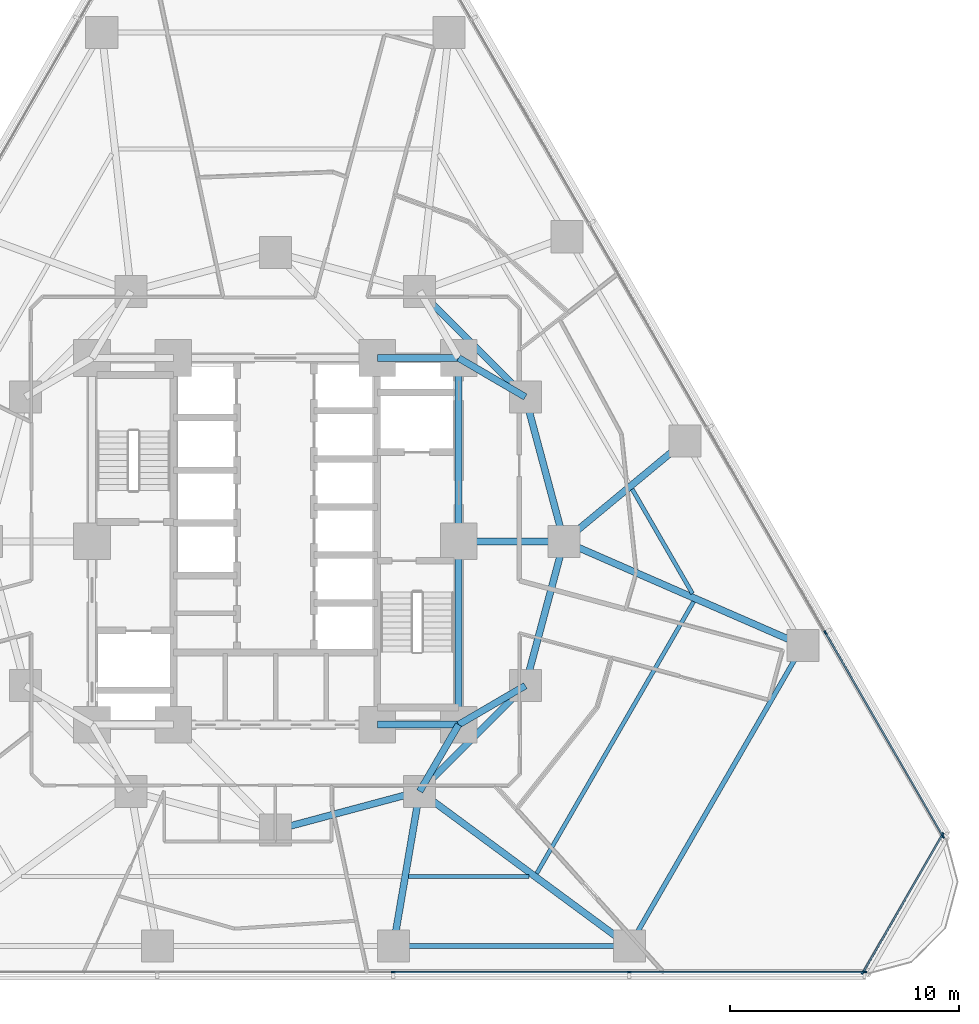
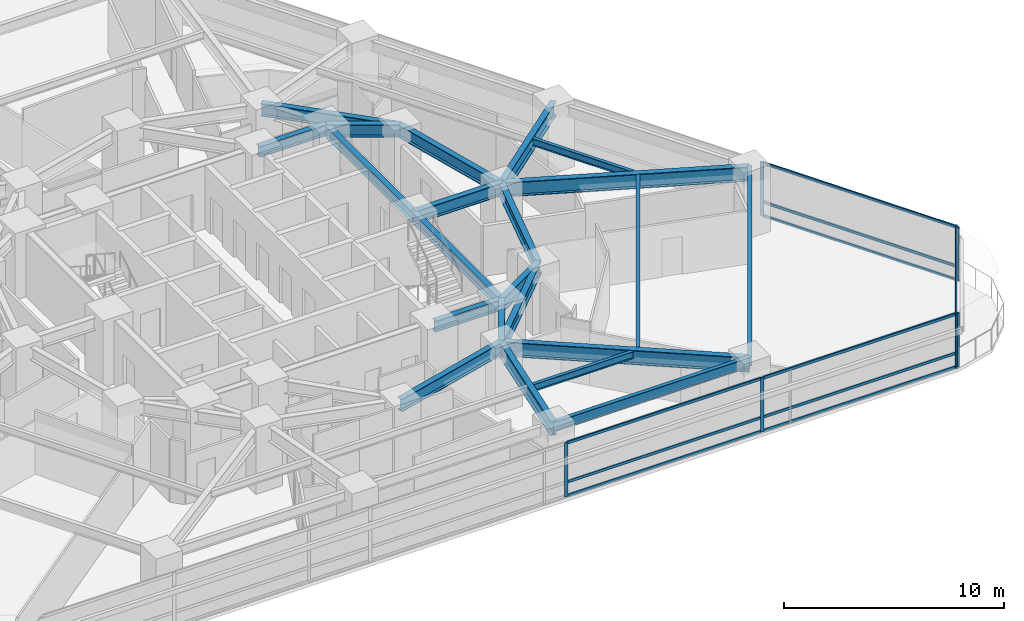
# One storey, part 4 of 15: 22 beams, 19 members, 3 elements without a shape of their own.
"""IFC4 building model written with IfcOpenShell, lengths in metres."""

from ifc_helpers import new_model, si_unit, direction, frame, origin, origin_2d, place, context, subcontext, project, spatial, rectangle, i_section, extrude, material, layer, layer_set, material_profile, profile_set, type_object, element, aggregate, save


model = new_model("IFC4")

# Units and contexts
model_context = context("Model", 3, precision=1e-05, world=origin(), true_north=direction((0.0, 1.0)))
body_context = subcontext(model_context, "Body", "Model", "MODEL_VIEW")
ifc_project = project(units=[si_unit("LENGTHUNIT", "METRE"), si_unit("AREAUNIT", "SQUARE_METRE"), si_unit("VOLUMEUNIT", "CUBIC_METRE"), si_unit("PLANEANGLEUNIT", "RADIAN"), si_unit("MASSUNIT", "GRAM", prefix="KILO")], contexts=[model_context])

# Site, building, storey
site_placement = place(None, origin())
site = spatial("IfcSite", under=ifc_project, at=site_placement, CompositionType="ELEMENT")
building_placement = place(site_placement, origin())
building = spatial("IfcBuilding", under=site, at=building_placement, Name="Terralouvre Media Tower", CompositionType="ELEMENT")
storey_placement = place(building_placement, frame((0.0, 0.0, 48.199951171875)))
storey = spatial("IfcBuildingStorey", under=building, at=storey_placement, Name="L11", CompositionType="ELEMENT", Elevation=48.199951171875)

# Beams
ifc_material_1 = material(Name="Structural steel S355J2", Category="steel")
ifc_material_profile_1 = material_profile(ifc_material_1, i_section(OverallWidth=0.179931640625, OverallDepth=0.39990234375, WebThickness=0.008544921875, FlangeThickness=0.013427734375, at=origin_2d()), Name="IPE 400")
ifc_profile_set_1 = profile_set([ifc_material_profile_1], Name="Structural steel S355J2")
beam_type_1 = type_object("IfcBeamType", Name="Composite Floor Joist J-IPE400 (IPE 400)", PredefinedType="JOIST", material=ifc_profile_set_1)
beam_1_placement = place(storey_placement, frame((5.817626953125, -14.627197265625, 3.300048828125), z_axis=(1.0, 0.0, 0.0), x_axis=(0.0, 1.0, 0.0)))
element("IfcBeam", 1, at=beam_1_placement, inside=storey, type_object=beam_type_1, Name="L11 Framing Beam JT-L11-04", PredefinedType="JOIST", context=body_context, shape_type="SweptSolid", body=[
    extrude(i_section(OverallWidth=0.179931640625, OverallDepth=0.39990234375, WebThickness=0.008544921875, FlangeThickness=0.013427734375, at=origin_2d()), origin(), (0.0, 0.0, 1.0), 5.264404296875),
])
beam_2_placement = place(storey_placement, frame((11.407470703125, -14.4970703125, 3.300048828125), z_axis=(0.500011895338, 0.866018535899, 0.0), x_axis=(-0.866018535899, 0.500011895338, 0.0)))
element("IfcBeam", 2, at=beam_2_placement, inside=storey, type_object=beam_type_1, Name="L11 Framing Beam JT-L11-05", PredefinedType="JOIST", context=body_context, shape_type="SweptSolid", body=[
    extrude(i_section(OverallWidth=0.179931640625, OverallDepth=0.39990234375, WebThickness=0.008544921875, FlangeThickness=0.013427734375, at=origin_2d()), origin(), (0.0, 0.0, 1.0), 13.702392578125),
])
beam_3_placement = place(storey_placement, frame((18.20849609375, -2.28369140625, 3.300048828125), z_axis=(-0.500019514865, 0.866014136579, 0.0), x_axis=(-0.866014136579, -0.500019514865, 0.0)))
element("IfcBeam", 3, at=beam_3_placement, inside=storey, type_object=beam_type_1, Name="L11 Framing Beam JT-L11-06", PredefinedType="JOIST", context=body_context, shape_type="SweptSolid", body=[
    extrude(i_section(OverallWidth=0.179931640625, OverallDepth=0.39990234375, WebThickness=0.008544921875, FlangeThickness=0.013427734375, at=origin_2d()), origin(), (0.0, 0.0, 1.0), 5.264404296875),
])

# Curtain wall, members
ifc_material_2 = material(Name="Low-iron laminated double glazing with solar-control coating", Category="glass")
ifc_layer_1 = layer(ifc_material_2, 0.1650390625, Name="Lower Media Tower Unitised Curtain Wall CW-02")
ifc_layer_set_1 = layer_set([ifc_layer_1], Name="Low-iron laminated double glazing with solar-control coating")
curtain_wall_type_1 = type_object("IfcCurtainWallType", Name="Lower Media Tower Unitised Curtain Wall CW-02", PredefinedType="NOTDEFINED", material=ifc_layer_set_1)
curtain_wall_1_placement = place(storey_placement, origin())
curtain_wall_1 = element("IfcCurtainWall", 4, at=curtain_wall_1_placement, inside=storey, type_object=curtain_wall_type_1, Name="L11 Facade Curtain Wall F0", PredefinedType="NOTDEFINED")
ifc_material_3 = material(Name="Anodised extruded aluminium 6063-T6", Category="aluminium")
ifc_material_profile_2 = material_profile(ifc_material_3, rectangle(XDim=0.074951171875, YDim=0.14990234375, at=origin_2d()), Name="ALU 75x150")
ifc_profile_set_2 = profile_set([ifc_material_profile_2], Name="Anodised extruded aluminium 6063-T6")
member_type_1 = type_object("IfcMemberType", Name="Curtain-Wall Horizontal Transom TR-150", PredefinedType="USERDEFINED", material=ifc_profile_set_2)
member_1_placement = place(storey_placement, frame((5.1875, -18.796875, 0.03759765625), z_axis=(1.0, 0.0, 0.0), x_axis=(0.0, 1.0, 0.0)))
member_1 = element("IfcMember", 5, at=member_1_placement, type_object=member_type_1, Name="CW-02 transom 4.1", ObjectType="TRANSOM", PredefinedType="USERDEFINED", context=body_context, shape_type="SweptSolid", body=[
    extrude(rectangle(XDim=0.074951171875, YDim=0.14990234375, at=origin_2d()), origin(), (0.0, 0.0, 1.0), 10.22509765625),
])
member_2_placement = place(storey_placement, frame((5.1875, -18.796875, 0.800048828125), z_axis=(1.0, 0.0, 0.0), x_axis=(0.0, 1.0, 0.0)))
member_2 = element("IfcMember", 6, at=member_2_placement, type_object=member_type_1, Name="CW-02 transom 4.2", ObjectType="TRANSOM", PredefinedType="USERDEFINED", context=body_context, shape_type="SweptSolid", body=[
    extrude(rectangle(XDim=0.074951171875, YDim=0.14990234375, at=origin_2d()), origin(), (0.0, 0.0, 1.0), 10.22509765625),
])
member_3_placement = place(storey_placement, frame((5.1875, -18.796875, 2.962646484375), z_axis=(1.0, 0.0, 0.0), x_axis=(0.0, 1.0, 0.0)))
member_3 = element("IfcMember", 7, at=member_3_placement, type_object=member_type_1, Name="CW-02 transom 4.3", ObjectType="TRANSOM", PredefinedType="USERDEFINED", context=body_context, shape_type="SweptSolid", body=[
    extrude(rectangle(XDim=0.074951171875, YDim=0.14990234375, at=origin_2d()), origin(), (0.0, 0.0, 1.0), 10.22509765625),
])
member_4_placement = place(storey_placement, frame((15.487548828125, -18.796875, 0.03759765625), z_axis=(1.0, 0.0, 0.0), x_axis=(0.0, 1.0, 0.0)))
member_4 = element("IfcMember", 8, at=member_4_placement, type_object=member_type_1, Name="CW-02 transom 5.1", ObjectType="TRANSOM", PredefinedType="USERDEFINED", context=body_context, shape_type="SweptSolid", body=[
    extrude(rectangle(XDim=0.074951171875, YDim=0.14990234375, at=origin_2d()), origin(), (0.0, 0.0, 1.0), 10.1875),
])
member_5_placement = place(storey_placement, frame((15.487548828125, -18.796875, 0.800048828125), z_axis=(1.0, 0.0, 0.0), x_axis=(0.0, 1.0, 0.0)))
member_5 = element("IfcMember", 9, at=member_5_placement, type_object=member_type_1, Name="CW-02 transom 5.2", ObjectType="TRANSOM", PredefinedType="USERDEFINED", context=body_context, shape_type="SweptSolid", body=[
    extrude(rectangle(XDim=0.074951171875, YDim=0.14990234375, at=origin_2d()), origin(), (0.0, 0.0, 1.0), 10.1875),
])
member_6_placement = place(storey_placement, frame((15.487548828125, -18.796875, 2.962646484375), z_axis=(1.0, 0.0, 0.0), x_axis=(0.0, 1.0, 0.0)))
member_6 = element("IfcMember", 10, at=member_6_placement, type_object=member_type_1, Name="CW-02 transom 5.3", ObjectType="TRANSOM", PredefinedType="USERDEFINED", context=body_context, shape_type="SweptSolid", body=[
    extrude(rectangle(XDim=0.074951171875, YDim=0.14990234375, at=origin_2d()), origin(), (0.0, 0.0, 1.0), 10.1875),
])

curtain_wall_2_placement = place(storey_placement, origin())
curtain_wall_2 = element("IfcCurtainWall", 11, at=curtain_wall_2_placement, inside=storey, type_object=curtain_wall_type_1, Name="L11 Facade Curtain Wall F1", PredefinedType="NOTDEFINED")
member_7_placement = place(storey_placement, frame((29.115966796875, -12.8369140625, 0.03759765625), z_axis=(-0.499994895054, 0.866028351106, 0.0), x_axis=(-0.866028351106, -0.499994895054, 0.0)))
member_7 = element("IfcMember", 12, at=member_7_placement, type_object=member_type_1, Name="CW-02 transom 1.1", ObjectType="TRANSOM", PredefinedType="USERDEFINED", context=body_context, shape_type="SweptSolid", body=[
    extrude(rectangle(XDim=0.074951171875, YDim=0.14990234375, at=origin_2d()), origin(), (0.0, 0.0, 1.0), 10.1875),
])
member_8_placement = place(storey_placement, frame((29.115966796875, -12.8369140625, 0.800048828125), z_axis=(-0.499994895054, 0.866028351106, 0.0), x_axis=(-0.866028351106, -0.499994895054, 0.0)))
member_8 = element("IfcMember", 13, at=member_8_placement, type_object=member_type_1, Name="CW-02 transom 1.2", ObjectType="TRANSOM", PredefinedType="USERDEFINED", context=body_context, shape_type="SweptSolid", body=[
    extrude(rectangle(XDim=0.074951171875, YDim=0.14990234375, at=origin_2d()), origin(), (0.0, 0.0, 1.0), 10.1875),
])
member_9_placement = place(storey_placement, frame((29.115966796875, -12.8369140625, 2.962646484375), z_axis=(-0.499994895054, 0.866028351106, 0.0), x_axis=(-0.866028351106, -0.499994895054, 0.0)))
member_9 = element("IfcMember", 14, at=member_9_placement, type_object=member_type_1, Name="CW-02 transom 1.3", ObjectType="TRANSOM", PredefinedType="USERDEFINED", context=body_context, shape_type="SweptSolid", body=[
    extrude(rectangle(XDim=0.074951171875, YDim=0.14990234375, at=origin_2d()), origin(), (0.0, 0.0, 1.0), 10.1875),
])

ifc_material_4 = material(Name="Low-iron laminated double glazing with solar-control coating", Category="glass")
ifc_layer_2 = layer(ifc_material_4, 0.1650390625, Name="Rounded Wind-Corner Curved Glazing CW-04")
ifc_layer_set_2 = layer_set([ifc_layer_2], Name="Low-iron laminated double glazing with solar-control coating")
curtain_wall_type_2 = type_object("IfcCurtainWallType", Name="Rounded Wind-Corner Curved Glazing CW-04", PredefinedType="NOTDEFINED", material=ifc_layer_set_2)
curtain_wall_3_placement = place(storey_placement, origin())
curtain_wall_3 = element("IfcCurtainWall", 15, at=curtain_wall_3_placement, inside=storey, type_object=curtain_wall_type_2, Name="L11 Rounded Wind-Corner Curtain Wall C1", PredefinedType="NOTDEFINED")
member_10_placement = place(storey_placement, frame((25.666259765625, -18.78173828125, 0.03759765625), z_axis=(0.499998495495, 0.866026272409, 0.0), x_axis=(-0.866026272409, 0.499998495495, 0.0)))
member_10 = element("IfcMember", 16, at=member_10_placement, type_object=member_type_1, Name="CW-04 transom 1.1", ObjectType="TRANSOM", PredefinedType="USERDEFINED", context=body_context, shape_type="SweptSolid", body=[
    extrude(rectangle(XDim=0.074951171875, YDim=0.14990234375, at=origin_2d()), origin(), (0.0, 0.0, 1.0), 6.86474609375),
])
member_11_placement = place(storey_placement, frame((25.666259765625, -18.78173828125, 0.800048828125), z_axis=(0.499998495495, 0.866026272409, 0.0), x_axis=(-0.866026272409, 0.499998495495, 0.0)))
member_11 = element("IfcMember", 17, at=member_11_placement, type_object=member_type_1, Name="CW-04 transom 1.2", ObjectType="TRANSOM", PredefinedType="USERDEFINED", context=body_context, shape_type="SweptSolid", body=[
    extrude(rectangle(XDim=0.074951171875, YDim=0.14990234375, at=origin_2d()), origin(), (0.0, 0.0, 1.0), 6.86474609375),
])
member_12_placement = place(storey_placement, frame((25.666259765625, -18.78173828125, 2.962646484375), z_axis=(0.499998495495, 0.866026272409, 0.0), x_axis=(-0.866026272409, 0.499998495495, 0.0)))
member_12 = element("IfcMember", 18, at=member_12_placement, type_object=member_type_1, Name="CW-04 transom 1.3", ObjectType="TRANSOM", PredefinedType="USERDEFINED", context=body_context, shape_type="SweptSolid", body=[
    extrude(rectangle(XDim=0.074951171875, YDim=0.14990234375, at=origin_2d()), origin(), (0.0, 0.0, 1.0), 6.86474609375),
])

# Member
ifc_material_5 = material(Name="Anodised extruded aluminium 6063-T6", Category="aluminium")
ifc_material_profile_3 = material_profile(ifc_material_5, rectangle(XDim=0.074951171875, YDim=0.179931640625, at=origin_2d()), Name="ALU 75x180")
ifc_profile_set_3 = profile_set([ifc_material_profile_3], Name="Anodised extruded aluminium 6063-T6")
member_type_2 = type_object("IfcMemberType", Name="Curtain-Wall Vertical Mullion ML-180", PredefinedType="MULLION", material=ifc_profile_set_3)
member_13_placement = place(storey_placement, frame((5.14990234375, -18.796875, 0.0), z_axis=(0.0, 0.0, 1.0), x_axis=(0.0, 1.0, 0.0)))
member_13 = element("IfcMember", 19, at=member_13_placement, type_object=member_type_2, Name="CW-02 mullion 4", PredefinedType="MULLION", context=body_context, shape_type="SweptSolid", body=[
    extrude(rectangle(XDim=0.074951171875, YDim=0.179931640625, at=origin_2d()), origin(), (0.0, 0.0, 1.0), 3.0),
])

member_14_placement = place(storey_placement, frame((15.449951171875, -18.796875, 0.0), z_axis=(0.0, 0.0, 1.0), x_axis=(0.0, 1.0, 0.0)))
member_14 = element("IfcMember", 20, at=member_14_placement, type_object=member_type_2, Name="CW-02 mullion 5", PredefinedType="MULLION", context=body_context, shape_type="SweptSolid", body=[
    extrude(rectangle(XDim=0.074951171875, YDim=0.179931640625, at=origin_2d()), origin(), (0.0, 0.0, 1.0), 3.0),
])

member_15_placement = place(storey_placement, frame((25.71240234375, -18.796875, 0.0), z_axis=(0.0, 0.0, 1.0), x_axis=(0.0, 1.0, 0.0)))
member_15 = element("IfcMember", 21, at=member_15_placement, type_object=member_type_2, Name="CW-02 mullion 6", PredefinedType="MULLION", context=body_context, shape_type="SweptSolid", body=[
    extrude(rectangle(XDim=0.074951171875, YDim=0.179931640625, at=origin_2d()), origin(), (0.0, 0.0, 1.0), 3.0),
])

aggregate(curtain_wall_1, [member_13, member_14, member_15, member_1, member_2, member_3, member_4, member_5, member_6])

member_16_placement = place(storey_placement, frame((29.134765625, -12.869384765625, 0.0), z_axis=(0.0, 0.0, 1.0), x_axis=(-0.866025412057, -0.499999985671, 0.0)))
member_16 = element("IfcMember", 22, at=member_16_placement, type_object=member_type_2, Name="CW-02 mullion 1", PredefinedType="MULLION", context=body_context, shape_type="SweptSolid", body=[
    extrude(rectangle(XDim=0.074951171875, YDim=0.179931640625, at=origin_2d()), origin(), (0.0, 0.0, 1.0), 3.0),
])

member_17_placement = place(storey_placement, frame((24.00341796875, -3.981689453125, 0.0), z_axis=(0.0, 0.0, 1.0), x_axis=(-0.866025412057, -0.499999985671, 0.0)))
member_17 = element("IfcMember", 23, at=member_17_placement, type_object=member_type_2, Name="CW-02 mullion 2", PredefinedType="MULLION", context=body_context, shape_type="SweptSolid", body=[
    extrude(rectangle(XDim=0.074951171875, YDim=0.179931640625, at=origin_2d()), origin(), (0.0, 0.0, 1.0), 3.0),
])

aggregate(curtain_wall_2, [member_16, member_17, member_7, member_8, member_9])

member_18_placement = place(storey_placement, frame((25.6474609375, -18.814208984375, 0.0), z_axis=(0.0, 0.0, 1.0), x_axis=(-0.866025581895, 0.499999691503, 0.0)))
member_18 = element("IfcMember", 24, at=member_18_placement, type_object=member_type_2, Name="CW-04 mullion 1", PredefinedType="MULLION", context=body_context, shape_type="SweptSolid", body=[
    extrude(rectangle(XDim=0.074951171875, YDim=0.179931640625, at=origin_2d()), origin(), (0.0, 0.0, 1.0), 3.0),
])

member_19_placement = place(storey_placement, frame((29.117431640625, -12.80419921875, 0.0), z_axis=(0.0, 0.0, 1.0), x_axis=(-0.866025581895, 0.499999691503, 0.0)))
member_19 = element("IfcMember", 25, at=member_19_placement, type_object=member_type_2, Name="CW-04 mullion 2", PredefinedType="MULLION", context=body_context, shape_type="SweptSolid", body=[
    extrude(rectangle(XDim=0.074951171875, YDim=0.179931640625, at=origin_2d()), origin(), (0.0, 0.0, 1.0), 3.0),
])

aggregate(curtain_wall_3, [member_18, member_19, member_10, member_11, member_12])

# Beams
ifc_material_6 = material(Name="Structural steel S355J2", Category="steel")
ifc_material_profile_4 = material_profile(ifc_material_6, i_section(OverallWidth=0.2099609375, OverallDepth=0.550048828125, WebThickness=0.010986328125, FlangeThickness=0.01708984375, at=origin_2d()), Name="IPE 550")
ifc_profile_set_4 = profile_set([ifc_material_profile_4], Name="Structural steel S355J2")
beam_type_2 = type_object("IfcBeamType", Name="Perimeter Spandrel Beam SPB-550 (IPE 550)", PredefinedType="SPANDREL", material=ifc_profile_set_4)
beam_4_placement = place(storey_placement, frame((5.14990234375, -17.666748046875, 3.22509765625), z_axis=(1.0, 0.0, 0.0), x_axis=(0.0, 1.0, 0.0)))
element("IfcBeam", 26, at=beam_4_placement, inside=storey, type_object=beam_type_2, Name="L11 Framing Beam BM-L11-PR04", PredefinedType="SPANDREL", context=body_context, shape_type="SweptSolid", body=[
    extrude(i_section(OverallWidth=0.2099609375, OverallDepth=0.550048828125, WebThickness=0.010986328125, FlangeThickness=0.01708984375, at=origin_2d()), origin(), (0.0, 0.0, 1.0), 10.300048828125),
])
beam_5_placement = place(storey_placement, frame((15.449951171875, -17.666748046875, 3.22509765625), z_axis=(0.500002375365, 0.866024032363, 0.0), x_axis=(-0.866024032363, 0.500002375365, 0.0)))
element("IfcBeam", 27, at=beam_5_placement, inside=storey, type_object=beam_type_2, Name="L11 Framing Beam BM-L11-PR05", PredefinedType="SPANDREL", context=body_context, shape_type="SweptSolid", body=[
    extrude(i_section(OverallWidth=0.2099609375, OverallDepth=0.550048828125, WebThickness=0.010986328125, FlangeThickness=0.01708984375, at=origin_2d()), origin(), (0.0, 0.0, 1.0), 15.14990234375),
])
ifc_material_7 = material(Name="Structural steel S460M", Category="steel")
ifc_material_profile_5 = material_profile(ifc_material_7, i_section(OverallWidth=0.300048828125, OverallDepth=0.60009765625, WebThickness=0.015380859375, FlangeThickness=0.030029296875, at=origin_2d()), Name="HEB 600")
ifc_profile_set_5 = profile_set([ifc_material_profile_5], Name="Structural steel S460M")
beam_type_3 = type_object("IfcBeamType", Name="Primary Floor Girder B-HEB600 (HEB 600)", PredefinedType="BEAM", material=ifc_profile_set_5)
beam_6_placement = place(storey_placement, frame((4.449951171875, -8.0, 3.199951171875), z_axis=(1.0, 0.0, 0.0), x_axis=(0.0, 1.0, 0.0)))
element("IfcBeam", 28, at=beam_6_placement, inside=storey, type_object=beam_type_3, Name="L11 Framing Beam BM-L11-CPR03", PredefinedType="BEAM", context=body_context, shape_type="SweptSolid", body=[
    extrude(i_section(OverallWidth=0.300048828125, OverallDepth=0.60009765625, WebThickness=0.015380859375, FlangeThickness=0.030029296875, at=origin_2d()), origin(), (0.0, 0.0, 1.0), 3.550048828125),
])
for number, where, z_axis, x_axis, name in (
    (29, (8.0, -8.0, 3.199951171875), (0.0, 1.0, 0.0), (-1.0, 0.0, 0.0), "L11 Framing Beam BM-L11-CPR04"),
    (30, (8.0, 0.0, 3.199951171875), (0.0, 1.0, 0.0), (-1.0, 0.0, 0.0), "L11 Framing Beam BM-L11-CPR05"),
):
    element("IfcBeam", number, at=place(storey_placement, frame(where, z_axis=z_axis, x_axis=x_axis)), inside=storey, type_object=beam_type_3, Name=name, PredefinedType="BEAM", context=body_context, shape_type="SweptSolid", body=[
        extrude(i_section(OverallWidth=0.300048828125, OverallDepth=0.60009765625, WebThickness=0.015380859375, FlangeThickness=0.030029296875, at=origin_2d()), origin(), (0.0, 0.0, 1.0), 8.0),
    ])
beam_7_placement = place(storey_placement, frame((8.0, 8.0, 3.199951171875), z_axis=(-1.0, 0.0, 0.0), x_axis=(0.0, -1.0, 0.0)))
element("IfcBeam", 31, at=beam_7_placement, inside=storey, type_object=beam_type_3, Name="L11 Framing Beam BM-L11-CPR06", PredefinedType="BEAM", context=body_context, shape_type="SweptSolid", body=[
    extrude(i_section(OverallWidth=0.300048828125, OverallDepth=0.60009765625, WebThickness=0.015380859375, FlangeThickness=0.030029296875, at=origin_2d()), origin(), (0.0, 0.0, 1.0), 3.550048828125),
])
ifc_material_8 = material(Name="Structural steel S460M", Category="steel")
ifc_material_profile_6 = material_profile(ifc_material_8, i_section(OverallWidth=0.300048828125, OverallDepth=0.699951171875, WebThickness=0.01708984375, FlangeThickness=0.031982421875, at=origin_2d()), Name="HEB 700")
ifc_profile_set_6 = profile_set([ifc_material_profile_6], Name="Structural steel S460M")
beam_type_4 = type_object("IfcBeamType", Name="Primary Floor Girder B-HEB700 (HEB 700)", PredefinedType="BEAM", material=ifc_profile_set_6)
beam_8_placement = place(storey_placement, frame((0.0, -12.60009765625, 3.150146484375), z_axis=(0.965920481897, 0.258838989821, 0.0), x_axis=(-0.258838989821, 0.965920481897, 0.0)))
element("IfcBeam", 32, at=beam_8_placement, inside=storey, type_object=beam_type_4, Name="L11 Framing Beam BM-L11-MR03", PredefinedType="BEAM", context=body_context, shape_type="SweptSolid", body=[
    extrude(i_section(OverallWidth=0.300048828125, OverallDepth=0.699951171875, WebThickness=0.01708984375, FlangeThickness=0.031982421875, at=origin_2d()), origin(), (0.0, 0.0, 1.0), 6.522216796875),
])
beam_9_placement = place(storey_placement, frame((6.300048828125, -10.911865234375, 3.150146484375), z_axis=(0.707106781187, 0.707106781187, 0.0), x_axis=(-0.707106781187, 0.707106781187, 0.0)))
element("IfcBeam", 33, at=beam_9_placement, inside=storey, type_object=beam_type_4, Name="L11 Framing Beam BM-L11-MR04", PredefinedType="BEAM", context=body_context, shape_type="SweptSolid", body=[
    extrude(i_section(OverallWidth=0.300048828125, OverallDepth=0.699951171875, WebThickness=0.01708984375, FlangeThickness=0.031982421875, at=origin_2d()), origin(), (0.0, 0.0, 1.0), 6.52197265625),
])
for number, where, z_axis, x_axis, name in (
    (34, (10.911865234375, -6.300048828125, 3.150146484375), (0.258838989821, 0.965920481897, 0.0), (-0.965920481897, 0.258838989821, 0.0), "L11 Framing Beam BM-L11-MR05"),
    (35, (12.60009765625, 0.0, 3.150146484375), (-0.258838989821, 0.965920481897, 0.0), (-0.965920481897, -0.258838989821, 0.0), "L11 Framing Beam BM-L11-MR06"),
):
    element("IfcBeam", number, at=place(storey_placement, frame(where, z_axis=z_axis, x_axis=x_axis)), inside=storey, type_object=beam_type_4, Name=name, PredefinedType="BEAM", context=body_context, shape_type="SweptSolid", body=[
        extrude(i_section(OverallWidth=0.300048828125, OverallDepth=0.699951171875, WebThickness=0.01708984375, FlangeThickness=0.031982421875, at=origin_2d()), origin(), (0.0, 0.0, 1.0), 6.522216796875),
    ])
beam_10_placement = place(storey_placement, frame((10.911865234375, 6.300048828125, 3.150146484375), z_axis=(-0.707106781187, 0.707106781187, 0.0), x_axis=(-0.707106781187, -0.707106781187, 0.0)))
element("IfcBeam", 36, at=beam_10_placement, inside=storey, type_object=beam_type_4, Name="L11 Framing Beam BM-L11-MR07", PredefinedType="BEAM", context=body_context, shape_type="SweptSolid", body=[
    extrude(i_section(OverallWidth=0.300048828125, OverallDepth=0.699951171875, WebThickness=0.01708984375, FlangeThickness=0.031982421875, at=origin_2d()), origin(), (0.0, 0.0, 1.0), 6.52197265625),
])
for number, where, z_axis, x_axis, name in (
    (37, (8.0, -8.0, 3.150146484375), (-0.504172629717, -0.863602894532, 0.0), (0.863602894532, -0.504172629717, 0.0), "L11 Framing Beam BM-L11-CM04"),
    (38, (8.0, -8.0, 3.150146484375), (0.863602894532, 0.504172629717, 0.0), (-0.504172629717, 0.863602894532, 0.0), "L11 Framing Beam BM-L11-CM05"),
):
    element("IfcBeam", number, at=place(storey_placement, frame(where, z_axis=z_axis, x_axis=x_axis)), inside=storey, type_object=beam_type_4, Name=name, PredefinedType="BEAM", context=body_context, shape_type="SweptSolid", body=[
        extrude(i_section(OverallWidth=0.300048828125, OverallDepth=0.699951171875, WebThickness=0.01708984375, FlangeThickness=0.031982421875, at=origin_2d()), origin(), (0.0, 0.0, 1.0), 3.371826171875),
    ])
beam_11_placement = place(storey_placement, frame((8.0, 0.0, 3.150146484375), z_axis=(1.0, 0.0, 0.0), x_axis=(0.0, 1.0, 0.0)))
element("IfcBeam", 39, at=beam_11_placement, inside=storey, type_object=beam_type_4, Name="L11 Framing Beam BM-L11-CM06", PredefinedType="BEAM", context=body_context, shape_type="SweptSolid", body=[
    extrude(i_section(OverallWidth=0.300048828125, OverallDepth=0.699951171875, WebThickness=0.01708984375, FlangeThickness=0.031982421875, at=origin_2d()), origin(), (0.0, 0.0, 1.0), 4.60009765625),
])
beam_12_placement = place(storey_placement, frame((8.0, 8.0, 3.150146484375), z_axis=(0.863602894532, -0.504172629717, 0.0), x_axis=(0.504172629717, 0.863602894532, 0.0)))
element("IfcBeam", 40, at=beam_12_placement, inside=storey, type_object=beam_type_4, Name="L11 Framing Beam BM-L11-CM07", PredefinedType="BEAM", context=body_context, shape_type="SweptSolid", body=[
    extrude(i_section(OverallWidth=0.300048828125, OverallDepth=0.699951171875, WebThickness=0.01708984375, FlangeThickness=0.031982421875, at=origin_2d()), origin(), (0.0, 0.0, 1.0), 3.371826171875),
])
ifc_material_9 = material(Name="Structural steel S460M", Category="steel")
ifc_material_profile_7 = material_profile(ifc_material_9, i_section(OverallWidth=0.300048828125, OverallDepth=0.800048828125, WebThickness=0.017578125, FlangeThickness=0.032958984375, at=origin_2d()), Name="HEB 800")
ifc_profile_set_7 = profile_set([ifc_material_profile_7], Name="Structural steel S460M")
beam_type_5 = type_object("IfcBeamType", Name="Primary Floor Girder B-HEB800 (HEB 800)", PredefinedType="BEAM", material=ifc_profile_set_7)
beam_13_placement = place(storey_placement, frame((6.300048828125, -10.911865234375, 3.10009765625), z_axis=(-0.167853129882, -0.98581201392, 0.0), x_axis=(0.98581201392, -0.167853129882, 0.0)))
element("IfcBeam", 41, at=beam_13_placement, inside=storey, type_object=beam_type_5, Name="L11 Framing Beam BM-L11-RD04", PredefinedType="BEAM", context=body_context, shape_type="SweptSolid", body=[
    extrude(i_section(OverallWidth=0.300048828125, OverallDepth=0.800048828125, WebThickness=0.017578125, FlangeThickness=0.032958984375, at=origin_2d()), origin(), (0.0, 0.0, 1.0), 6.85205078125),
])
beam_14_placement = place(storey_placement, frame((6.300048828125, -10.911865234375, 3.10009765625), z_axis=(0.804515955091, -0.593931038088, 0.0), x_axis=(0.593931038088, 0.804515955091, 0.0)))
element("IfcBeam", 42, at=beam_14_placement, inside=storey, type_object=beam_type_5, Name="L11 Framing Beam BM-L11-RD05", PredefinedType="BEAM", context=body_context, shape_type="SweptSolid", body=[
    extrude(i_section(OverallWidth=0.300048828125, OverallDepth=0.800048828125, WebThickness=0.017578125, FlangeThickness=0.032958984375, at=origin_2d()), origin(), (0.0, 0.0, 1.0), 11.373291015625),
])
beam_15_placement = place(storey_placement, frame((12.60009765625, 0.0, 3.10009765625), z_axis=(0.916615903868, -0.399769039291, 0.0), x_axis=(0.399769039291, 0.916615903868, 0.0)))
element("IfcBeam", 43, at=beam_15_placement, inside=storey, type_object=beam_type_5, Name="L11 Framing Beam BM-L11-RD06", PredefinedType="BEAM", context=body_context, shape_type="SweptSolid", body=[
    extrude(i_section(OverallWidth=0.300048828125, OverallDepth=0.800048828125, WebThickness=0.017578125, FlangeThickness=0.032958984375, at=origin_2d()), origin(), (0.0, 0.0, 1.0), 11.373046875),
])
beam_16_placement = place(storey_placement, frame((12.60009765625, 0.0, 3.10009765625), z_axis=(0.769816459478, 0.638265320001, 0.0), x_axis=(-0.638265320001, 0.769816459478, 0.0)))
element("IfcBeam", 44, at=beam_16_placement, inside=storey, type_object=beam_type_5, Name="L11 Framing Beam BM-L11-RD07", PredefinedType="BEAM", context=body_context, shape_type="SweptSolid", body=[
    extrude(i_section(OverallWidth=0.300048828125, OverallDepth=0.800048828125, WebThickness=0.017578125, FlangeThickness=0.032958984375, at=origin_2d()), origin(), (0.0, 0.0, 1.0), 6.851806640625),
])

save(model, "model.ifc")
